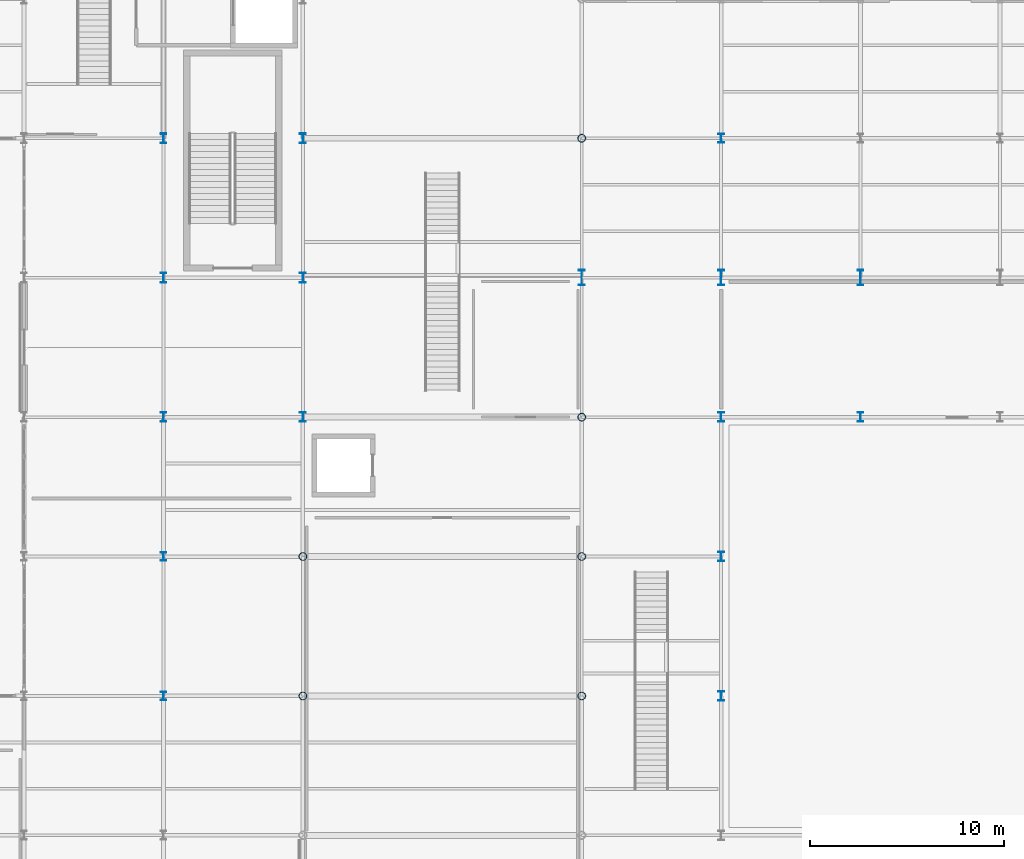
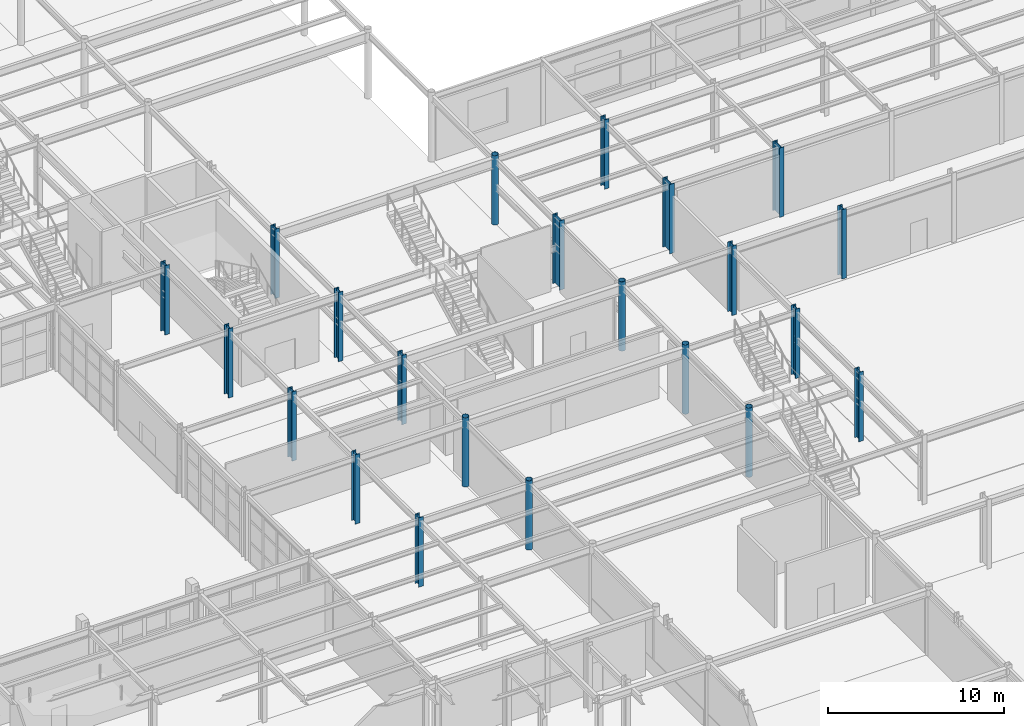
# One storey, part 6 of 83: 22 columns.
"""IFC4 building model written with IfcOpenShell, lengths in metres."""

from ifc_helpers import new_model, si_unit, direction, frame, origin, origin_2d, place, context, subcontext, project, spatial, hollow_circle, i_section, extrude, material, material_profile, profile_set, type_object, element, save


model = new_model("IFC4")

# Units and contexts
model_context = context("Model", 3, precision=1e-05, world=origin(), true_north=direction((0.0, 1.0)))
body_context = subcontext(model_context, "Body", "Model", "MODEL_VIEW")
ifc_project = project(units=[si_unit("LENGTHUNIT", "METRE"), si_unit("AREAUNIT", "SQUARE_METRE"), si_unit("VOLUMEUNIT", "CUBIC_METRE"), si_unit("PLANEANGLEUNIT", "RADIAN"), si_unit("MASSUNIT", "GRAM", prefix="KILO")], contexts=[model_context])

# Site, building, storey
site_placement = place(None, origin())
site = spatial("IfcSite", under=ifc_project, at=site_placement, CompositionType="ELEMENT")
building_placement = place(site_placement, origin())
building = spatial("IfcBuilding", under=site, at=building_placement, Name="Solvadek Multi-Sports Hall", CompositionType="ELEMENT")
storey_placement = place(building_placement, origin())
storey = spatial("IfcBuildingStorey", under=building, at=storey_placement, Name="L00", CompositionType="ELEMENT", Elevation=0.0)

# Columns
ifc_material = material(Name="Steel E350 (350 MPa)", Category="steel")
ifc_material_profile_1 = material_profile(ifc_material, hollow_circle(Radius=0.203125, WallThickness=0.01611328125, at=origin_2d()), Name="CHS 406.4x16")
ifc_profile_set_1 = profile_set([ifc_material_profile_1], Name="Steel E350 (350 MPa)")
column_type_1 = type_object("IfcColumnType", Name="STR-COL-CHS406", PredefinedType="COLUMN", material=ifc_profile_set_1)
for number, where, z_axis, x_axis, name in (
    (1, (72.0, 20.39990234375, 0.0), (0.0, 0.0, 1.0), (1.0, 0.0, 0.0), "L00 Column C-11 #147"),
    (2, (72.0, 27.60009765625, 0.0), (0.0, 0.0, 1.0), (1.0, 0.0, 0.0), "L00 Column C-11 #148"),
    (3, (86.39990234375, 20.39990234375, 0.0), (0.0, 0.0, 1.0), (1.0, 0.0, 0.0), "L00 Column C-11 #177"),
    (4, (86.39990234375, 27.60009765625, 0.0), (0.0, 0.0, 1.0), (1.0, 0.0, 0.0), "L00 Column C-11 #178"),
    (5, (86.39990234375, 34.800048828125, 0.0), (0.0, 0.0, 1.0), (1.0, 0.0, 0.0), "L00 Column C-11 #179"),
    (6, (86.39990234375, 49.199951171875, 0.0), (0.0, 0.0, 1.0), (1.0, 0.0, 0.0), "L00 Column C-11 #181"),
):
    element("IfcColumn", number, at=place(storey_placement, frame(where, z_axis=z_axis, x_axis=x_axis)), inside=storey, type_object=column_type_1, Name=name, PredefinedType="COLUMN", context=body_context, shape_type="SweptSolid", body=[
        extrude(hollow_circle(Radius=0.203125, WallThickness=0.01611328125, at=origin_2d()), origin(), (0.0, 0.0, 1.0), 4.800048828125),
    ])
ifc_material_profile_2 = material_profile(ifc_material, i_section(OverallWidth=0.300048828125, OverallDepth=0.449951171875, WebThickness=0.013916015625, FlangeThickness=0.02587890625, at=origin_2d()), Name="WPB 450")
ifc_profile_set_2 = profile_set([ifc_material_profile_2], Name="Steel E350 (350 MPa)")
column_type_2 = type_object("IfcColumnType", Name="STR-COL-WPB450", PredefinedType="COLUMN", material=ifc_profile_set_2)
for number, where, z_axis, x_axis, name in (
    (7, (64.800048828125, 20.39990234375, 0.0), (0.0, 0.0, 1.0), (1.0, 0.0, 0.0), "L00 Column C-06 #132"),
    (8, (64.800048828125, 27.60009765625, 0.0), (0.0, 0.0, 1.0), (1.0, 0.0, 0.0), "L00 Column C-06 #133"),
    (9, (93.60009765625, 49.199951171875, 0.0), (0.0, 0.0, 1.0), (1.0, 0.0, 0.0), "L00 Column C-06 #196"),
):
    element("IfcColumn", number, at=place(storey_placement, frame(where, z_axis=z_axis, x_axis=x_axis)), inside=storey, type_object=column_type_2, Name=name, PredefinedType="COLUMN", context=body_context, shape_type="SweptSolid", body=[
        extrude(i_section(OverallWidth=0.300048828125, OverallDepth=0.449951171875, WebThickness=0.013916015625, FlangeThickness=0.02587890625, at=origin_2d()), origin(), (0.0, 0.0, 1.0), 4.800048828125),
    ])
ifc_material_profile_3 = material_profile(ifc_material, i_section(OverallWidth=0.300048828125, OverallDepth=0.5, WebThickness=0.014404296875, FlangeThickness=0.028076171875, at=origin_2d()), Name="WPB 500")
ifc_profile_set_3 = profile_set([ifc_material_profile_3], Name="Steel E350 (350 MPa)")
column_type_3 = type_object("IfcColumnType", Name="STR-COL-WPB500", PredefinedType="COLUMN", material=ifc_profile_set_3)
for number, where, z_axis, x_axis, name in (
    (10, (64.800048828125, 34.800048828125, 0.0), (0.0, 0.0, 1.0), (1.0, 0.0, 0.0), "L00 Column C-05 #134"),
    (11, (64.800048828125, 42.0, 0.0), (0.0, 0.0, 1.0), (1.0, 0.0, 0.0), "L00 Column C-05 #135"),
    (12, (64.800048828125, 49.199951171875, 0.0), (0.0, 0.0, 1.0), (1.0, 0.0, 0.0), "L00 Column C-05 #136"),
    (13, (72.0, 34.800048828125, 0.0), (0.0, 0.0, 1.0), (1.0, 0.0, 0.0), "L00 Column C-05 #149"),
    (14, (72.0, 42.0, 0.0), (0.0, 0.0, 1.0), (1.0, 0.0, 0.0), "L00 Column C-05 #150"),
    (15, (72.0, 49.199951171875, 0.0), (0.0, 0.0, 1.0), (1.0, 0.0, 0.0), "L00 Column C-05 #151"),
    (16, (93.60009765625, 20.39990234375, 0.0), (0.0, 0.0, 1.0), (1.0, 0.0, 0.0), "L00 Column C-05 #192"),
    (17, (93.60009765625, 27.60009765625, 0.0), (0.0, 0.0, 1.0), (1.0, 0.0, 0.0), "L00 Column C-05 #193"),
    (18, (93.60009765625, 34.800048828125, 0.0), (0.0, 0.0, 1.0), (1.0, 0.0, 0.0), "L00 Column C-05 #194"),
    (19, (100.800048828125, 34.800048828125, 0.0), (0.0, 0.0, 1.0), (1.0, 0.0, 0.0), "L00 Column C-05 #202"),
):
    element("IfcColumn", number, at=place(storey_placement, frame(where, z_axis=z_axis, x_axis=x_axis)), inside=storey, type_object=column_type_3, Name=name, PredefinedType="COLUMN", context=body_context, shape_type="SweptSolid", body=[
        extrude(i_section(OverallWidth=0.300048828125, OverallDepth=0.5, WebThickness=0.014404296875, FlangeThickness=0.028076171875, at=origin_2d()), origin(), (0.0, 0.0, 1.0), 4.800048828125),
    ])
ifc_material_profile_4 = material_profile(ifc_material, i_section(OverallWidth=0.300048828125, OverallDepth=0.800048828125, WebThickness=0.017578125, FlangeThickness=0.032958984375, at=origin_2d()), Name="WPB 800")
ifc_profile_set_4 = profile_set([ifc_material_profile_4], Name="Steel E350 (350 MPa)")
column_type_4 = type_object("IfcColumnType", Name="STR-COL-WPB800", PredefinedType="COLUMN", material=ifc_profile_set_4)
for number, where, z_axis, x_axis, name in (
    (20, (86.39990234375, 42.0, 0.0), (0.0, 0.0, 1.0), (1.0, 0.0, 0.0), "L00 Column C-01 #180"),
    (21, (93.60009765625, 42.0, 0.0), (0.0, 0.0, 1.0), (1.0, 0.0, 0.0), "L00 Column C-01 #195"),
    (22, (100.800048828125, 42.0, 0.0), (0.0, 0.0, 1.0), (1.0, 0.0, 0.0), "L00 Column C-01 #203"),
):
    element("IfcColumn", number, at=place(storey_placement, frame(where, z_axis=z_axis, x_axis=x_axis)), inside=storey, type_object=column_type_4, Name=name, PredefinedType="COLUMN", context=body_context, shape_type="SweptSolid", body=[
        extrude(i_section(OverallWidth=0.300048828125, OverallDepth=0.800048828125, WebThickness=0.017578125, FlangeThickness=0.032958984375, at=origin_2d()), origin(), (0.0, 0.0, 1.0), 4.800048828125),
    ])

save(model, "model.ifc")
